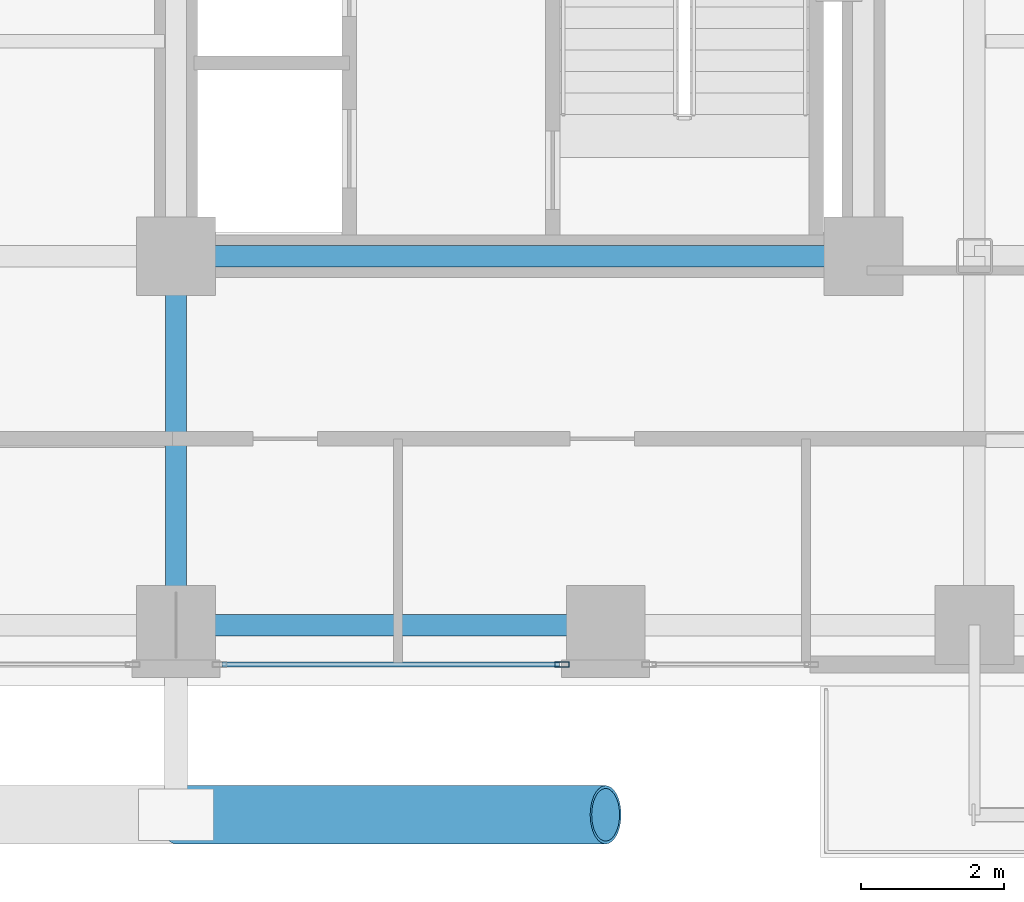
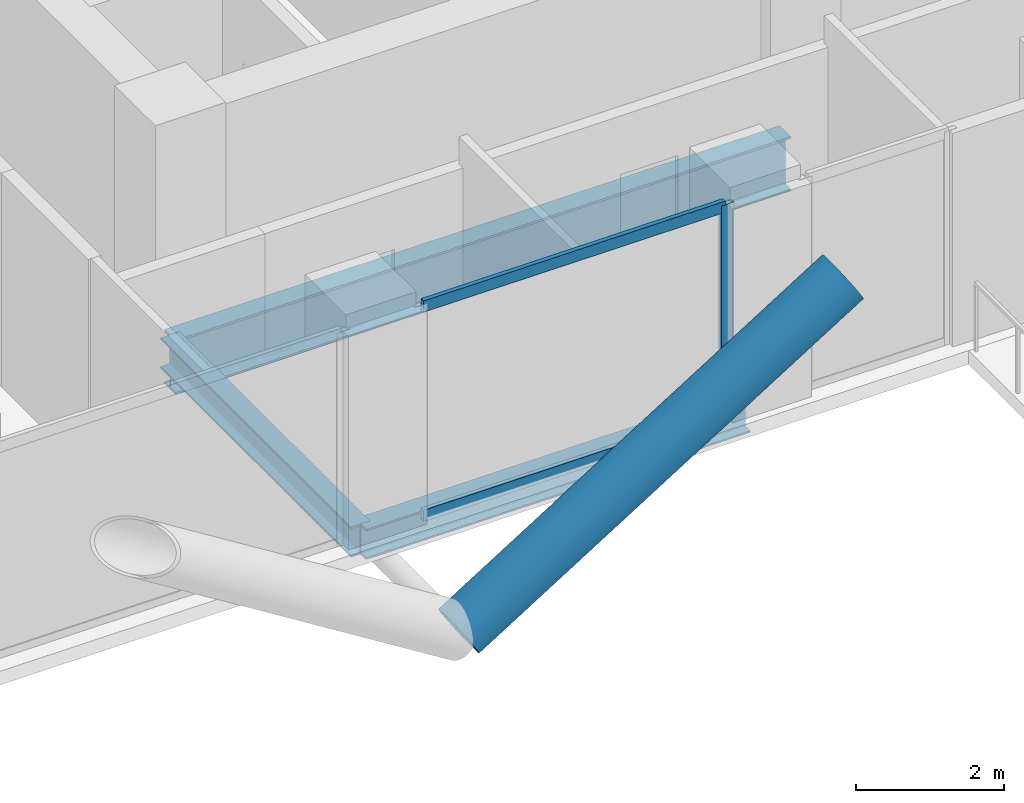
# One storey, part 5 of 28: 4 members, 3 beams, 1 element without a shape of its own.
"""IFC4 building model written with IfcOpenShell, lengths in metres."""

from ifc_helpers import new_model, si_unit, direction, frame, origin, origin_2d, place, context, subcontext, project, spatial, hollow_rectangle, hollow_circle, i_section, extrude, material, layer, layer_set, material_profile, profile_set, type_object, element, aggregate, save


model = new_model("IFC4")

# Units and contexts
model_context = context("Model", 3, precision=1e-05, world=origin(), true_north=direction((0.0, 1.0)))
body_context = subcontext(model_context, "Body", "Model", "MODEL_VIEW")
ifc_project = project(units=[si_unit("LENGTHUNIT", "METRE"), si_unit("AREAUNIT", "SQUARE_METRE"), si_unit("VOLUMEUNIT", "CUBIC_METRE"), si_unit("PLANEANGLEUNIT", "RADIAN"), si_unit("MASSUNIT", "GRAM", prefix="KILO"), si_unit("THERMODYNAMICTEMPERATUREUNIT", "KELVIN"), si_unit("POWERUNIT", "WATT")], contexts=[model_context])

# Site, building, storey
site_placement = place(None, origin())
site = spatial("IfcSite", under=ifc_project, at=site_placement, CompositionType="ELEMENT")
building_placement = place(site_placement, origin())
building = spatial("IfcBuilding", under=site, at=building_placement, Name="Svarakhadi Broadcast Tower", CompositionType="ELEMENT")
storey_placement = place(building_placement, frame((0.0, 0.0, 153.14990234375)))
storey = spatial("IfcBuildingStorey", under=building, at=storey_placement, Name="L37", CompositionType="ELEMENT", Elevation=153.14990234375)

# Curtain wall, members
ifc_material_1 = material(Name="Anodised Bronze Aluminium AA 6063-T6", Category="aluminium")
ifc_layer = layer(ifc_material_1, 0.199951171875)
ifc_layer_set = layer_set([ifc_layer], Name="Anodised Bronze Aluminium AA 6063-T6")
curtain_wall_type = type_object("IfcCurtainWallType", Name="CW_Sys_03", PredefinedType="NOTDEFINED", material=ifc_layer_set)
curtain_wall_placement = place(storey_placement, origin())
curtain_wall = element("IfcCurtainWall", 1, at=curtain_wall_placement, inside=storey, type_object=curtain_wall_type, Name="L37 South Curtain Wall 17 Bay 2", PredefinedType="NOTDEFINED")
ifc_material_profile_1 = material_profile(ifc_material_1, hollow_rectangle(XDim=0.074951171875, YDim=0.199951171875, WallThickness=0.005615234375, at=origin_2d()), Name="ALU MULLION 200x75x6")
ifc_profile_set_1 = profile_set([ifc_material_profile_1], Name="Anodised Bronze Aluminium AA 6063-T6")
member_type_1 = type_object("IfcMemberType", Name="CW_Sys_03_Mul", PredefinedType="MULLION", material=ifc_profile_set_1)
member_1_placement = place(storey_placement, frame((29.392578125, 0.300048828125, 0.0), z_axis=(0.0, 0.0, 1.0), x_axis=(0.0, -1.0, 0.0)))
member_1 = element("IfcMember", 2, at=member_1_placement, type_object=member_type_1, Name="CW-03 mullion 1", PredefinedType="MULLION", context=body_context, shape_type="SweptSolid", body=[
    extrude(hollow_rectangle(XDim=0.074951171875, YDim=0.199951171875, WallThickness=0.005615234375, at=origin_2d()), origin(), (0.0, 0.0, 1.0), 3.525146484375),
])
ifc_material_profile_2 = material_profile(ifc_material_1, hollow_rectangle(XDim=0.070068359375, YDim=0.18505859375, WallThickness=0.0048828125, at=origin_2d()), Name="ALU TRANSOM 185x70x5")
ifc_profile_set_2 = profile_set([ifc_material_profile_2], Name="Anodised Bronze Aluminium AA 6063-T6")
member_type_2 = type_object("IfcMemberType", Name="CW_Sys_03_Trn", PredefinedType="USERDEFINED", material=ifc_profile_set_2)
member_2_placement = place(storey_placement, frame((29.35498046875, 0.300048828125, 0.03515625), z_axis=(-1.0, 0.0, 0.0), x_axis=(0.0, -1.0, 0.0)))
member_2 = element("IfcMember", 3, at=member_2_placement, type_object=member_type_2, Name="CW-03 transom 1.1", ObjectType="TRANSOM", PredefinedType="USERDEFINED", context=body_context, shape_type="SweptSolid", body=[
    extrude(hollow_rectangle(XDim=0.070068359375, YDim=0.18505859375, WallThickness=0.0048828125, at=origin_2d()), origin(), (0.0, 0.0, 1.0), 4.7099609375),
])
member_3_placement = place(storey_placement, frame((29.35498046875, 0.300048828125, 3.489990234375), z_axis=(-1.0, 0.0, 0.0), x_axis=(0.0, -1.0, 0.0)))
member_3 = element("IfcMember", 4, at=member_3_placement, type_object=member_type_2, Name="CW-03 transom 1.2", ObjectType="TRANSOM", PredefinedType="USERDEFINED", context=body_context, shape_type="SweptSolid", body=[
    extrude(hollow_rectangle(XDim=0.070068359375, YDim=0.18505859375, WallThickness=0.0048828125, at=origin_2d()), origin(), (0.0, 0.0, 1.0), 4.7099609375),
])
aggregate(curtain_wall, [member_1, member_2, member_3])

# Member
ifc_material_2 = material(Name="Steel S460ML (IS 2062 E450BR)", Category="steel")
ifc_material_profile_3 = material_profile(ifc_material_2, hollow_circle(Radius=0.406494140625, WallThickness=0.0400390625, at=origin_2d()), Name="CHS 813x40")
ifc_profile_set_3 = profile_set([ifc_material_profile_3], Name="Steel S460ML (IS 2062 E450BR)")
member_type_3 = type_object("IfcMemberType", Name="Exo_Brace_CHS813", PredefinedType="BRACE", material=ifc_profile_set_3)
member_4_placement = place(storey_placement, frame((24.0, -1.800048828125, -0.386962890625), z_axis=(0.847998304005, 0.0, 0.529998940003), x_axis=(0.0, 1.0, 0.0)))
element("IfcMember", 5, at=member_4_placement, inside=storey, type_object=member_type_3, Name="L37 Exposed Bronze Exoskeleton Diagonal S04", PredefinedType="BRACE", context=body_context, shape_type="SweptSolid", body=[
    extrude(hollow_circle(Radius=0.406494140625, WallThickness=0.0400390625, at=origin_2d()), origin(), (0.0, 0.0, 1.0), 7.075439453125),
])

# Beams
ifc_material_3 = material(Name="Steel S355J2 (IS 2062 E350C)", Category="steel")
ifc_material_profile_4 = material_profile(ifc_material_3, i_section(OverallWidth=0.300048828125, OverallDepth=0.5, WebThickness=0.014404296875, FlangeThickness=0.028076171875, FilletRadius=0.027099609375, at=origin_2d()), Name="WPB 500x300x187")
ifc_profile_set_4 = profile_set([ifc_material_profile_4], Name="Steel S355J2 (IS 2062 E350C)")
beam_type_1 = type_object("IfcBeamType", Name="Girder_WPB500", PredefinedType="USERDEFINED", material=ifc_profile_set_4)
beam_1_placement = place(storey_placement, frame((24.0, 0.85009765625, -0.474853515625), z_axis=(1.0, 0.0, 0.0), x_axis=(0.0, 1.0, 0.0)))
element("IfcBeam", 6, at=beam_1_placement, inside=storey, type_object=beam_type_1, Name="L37 Primary E-W Girder G007", ObjectType="GIRDER", PredefinedType="USERDEFINED", context=body_context, shape_type="SweptSolid", body=[
    extrude(i_section(OverallWidth=0.300048828125, OverallDepth=0.5, WebThickness=0.014404296875, FlangeThickness=0.028076171875, FilletRadius=0.027099609375, at=origin_2d()), origin(), (0.0, 0.0, 1.0), 6.0),
])
beam_2_placement = place(storey_placement, frame((24.0, 0.85009765625, -0.474853515625), z_axis=(0.0, 1.0, 0.0), x_axis=(-1.0, 0.0, 0.0)))
element("IfcBeam", 7, at=beam_2_placement, inside=storey, type_object=beam_type_1, Name="L37 Primary N-S Girder G062", ObjectType="GIRDER", PredefinedType="USERDEFINED", context=body_context, shape_type="SweptSolid", body=[
    extrude(i_section(OverallWidth=0.300048828125, OverallDepth=0.5, WebThickness=0.014404296875, FlangeThickness=0.028076171875, FilletRadius=0.027099609375, at=origin_2d()), origin(), (0.0, 0.0, 1.0), 5.14990234375),
])
ifc_material_profile_5 = material_profile(ifc_material_2, i_section(OverallWidth=0.300048828125, OverallDepth=0.89990234375, WebThickness=0.0185546875, FlangeThickness=0.034912109375, FilletRadius=0.030029296875, at=origin_2d()), Name="WPB 900x300x291")
ifc_profile_set_5 = profile_set([ifc_material_profile_5], Name="Steel S460ML (IS 2062 E450BR)")
beam_type_2 = type_object("IfcBeamType", Name="Girder_WPB900", PredefinedType="USERDEFINED", material=ifc_profile_set_5)
beam_3_placement = place(storey_placement, frame((24.0, 6.0, -0.6748046875), z_axis=(1.0, 0.0, 0.0), x_axis=(0.0, 1.0, 0.0)))
element("IfcBeam", 8, at=beam_3_placement, inside=storey, type_object=beam_type_2, Name="L37 Primary E-W Girder G014", ObjectType="GIRDER", PredefinedType="USERDEFINED", context=body_context, shape_type="SweptSolid", body=[
    extrude(i_section(OverallWidth=0.300048828125, OverallDepth=0.89990234375, WebThickness=0.0185546875, FlangeThickness=0.034912109375, FilletRadius=0.030029296875, at=origin_2d()), origin(), (0.0, 0.0, 1.0), 9.60009765625),
])

save(model, "model.ifc")
